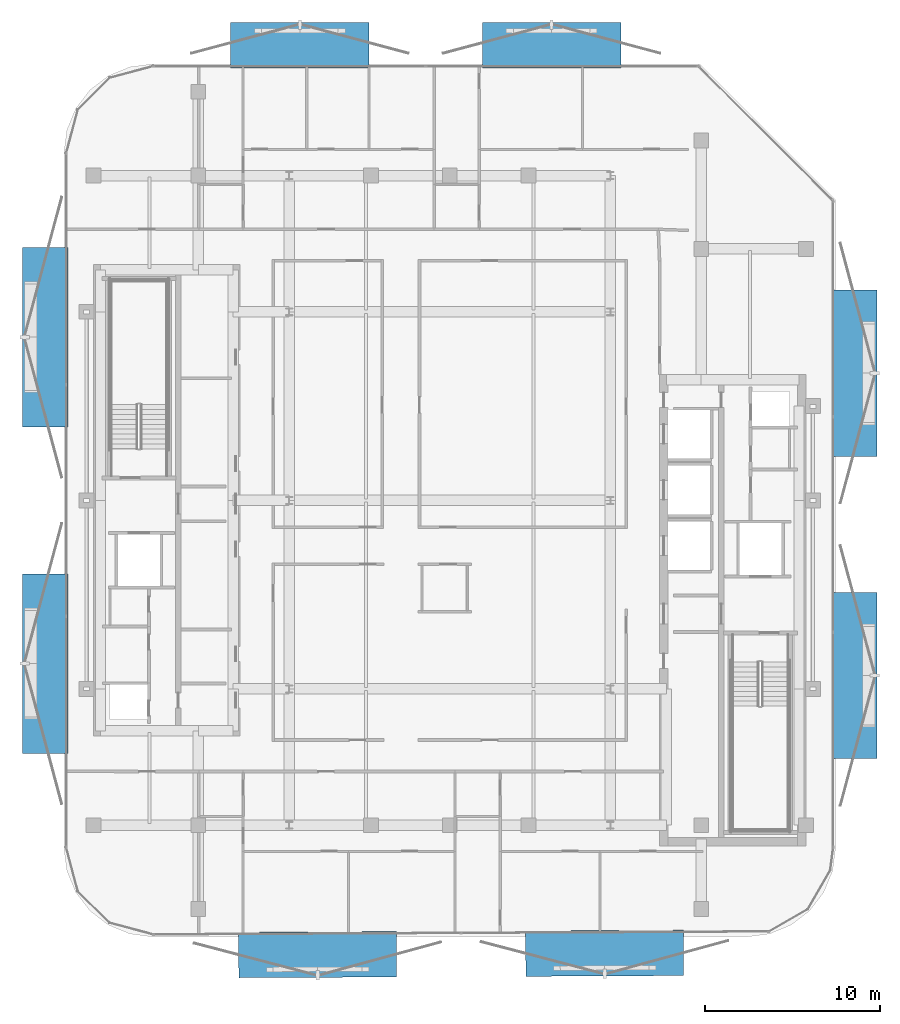
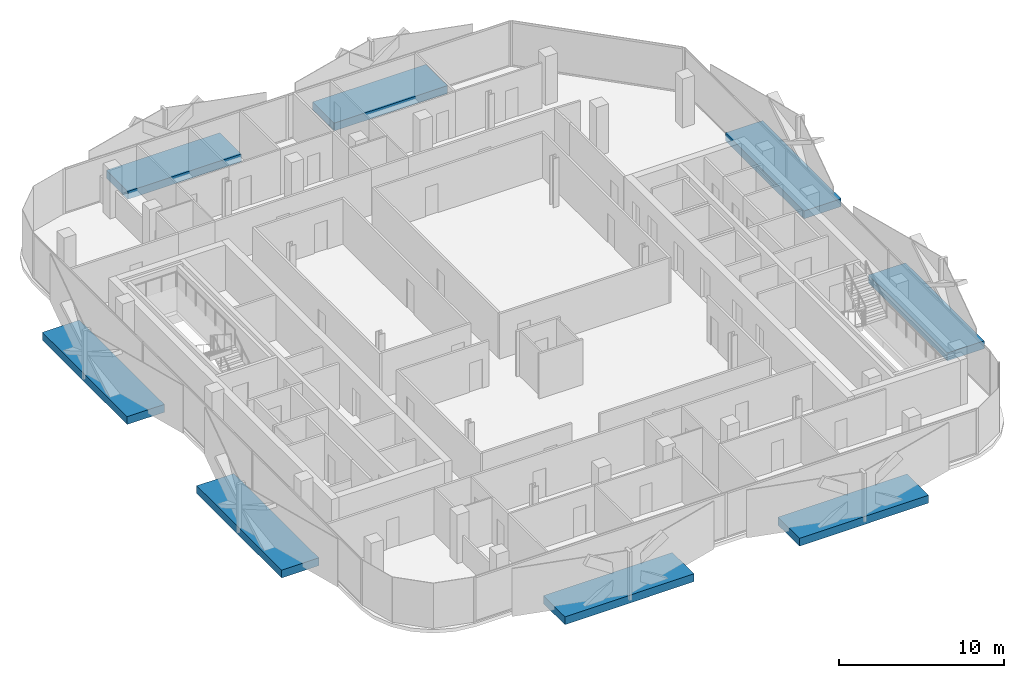
# One storey, part 7 of 16: 8 discrete accessories.
"""IFC4 building model written with IfcOpenShell, lengths in metres."""

from ifc_helpers import new_model, si_unit, direction, frame, origin, origin_2d, place, context, subcontext, project, spatial, rectangle, extrude, material, type_object, element, save


model = new_model("IFC4")

# Units and contexts
model_context = context("Model", 3, precision=1e-05, world=origin(), true_north=direction((0.0, 1.0)))
body_context = subcontext(model_context, "Body", "Model", "MODEL_VIEW")
ifc_project = project(units=[si_unit("LENGTHUNIT", "METRE"), si_unit("AREAUNIT", "SQUARE_METRE"), si_unit("VOLUMEUNIT", "CUBIC_METRE"), si_unit("PLANEANGLEUNIT", "RADIAN"), si_unit("MASSUNIT", "GRAM", prefix="KILO")], contexts=[model_context])

# Site, building, storey
site_placement = place(None, origin())
site = spatial("IfcSite", under=ifc_project, at=site_placement, CompositionType="ELEMENT")
building_placement = place(site_placement, origin())
building = spatial("IfcBuilding", under=site, at=building_placement, Name="Khairoan Windgate Tower", CompositionType="ELEMENT")
storey_placement = place(building_placement, frame((0.0, 0.0, 258.39990234375)))
storey = spatial("IfcBuildingStorey", under=building, at=storey_placement, Name="L61", CompositionType="ELEMENT", Elevation=258.39990234375)

# Discrete accessories
ifc_material = material(Name="Steel S355", Category="steel")
discrete_accessory_type = type_object("IfcDiscreteAccessoryType", Name="Solar Screen Outrigger Slab Bracket SSB-1", PredefinedType="BRACKET", material=ifc_material)
for number, where, z_axis, x_axis, name in (
    (1, (8.87060546875, -25.935302734375, -0.419921875), (0.0, 0.0, 1.0), (-0.999988059021, -0.004886902454, 0.0), "L61 Solar Screen Outrigger Bracket 417"),
    (2, (-7.56640625, -26.014404296875, -0.419921875), (0.0, 0.0, 1.0), (-0.999988059021, -0.004886902454, 0.0), "L61 Solar Screen Outrigger Bracket 418"),
):
    element("IfcDiscreteAccessory", number, at=place(storey_placement, frame(where, z_axis=z_axis, x_axis=x_axis)), inside=storey, type_object=discrete_accessory_type, Name=name, PredefinedType="BRACKET", context=body_context, shape_type="SweptSolid", body=[
        extrude(rectangle(XDim=9.041015625, YDim=2.60009765625, at=origin_2d()), origin(), (0.0, 0.0, 1.0), 0.580078125),
    ])
for number, where, z_axis, x_axis, name in (
    (3, (-23.159912109375, -9.345458984375, -0.419921875), (0.0, 0.0, 1.0), (0.0, 1.0, 0.0), "L61 Solar Screen Outrigger Bracket 419"),
    (4, (-23.159912109375, 9.345458984375, -0.419921875), (0.0, 0.0, 1.0), (0.0, 1.0, 0.0), "L61 Solar Screen Outrigger Bracket 420"),
):
    element("IfcDiscreteAccessory", number, at=place(storey_placement, frame(where, z_axis=z_axis, x_axis=x_axis)), inside=storey, type_object=discrete_accessory_type, Name=name, PredefinedType="BRACKET", context=body_context, shape_type="SweptSolid", body=[
        extrude(rectangle(XDim=10.280029296875, YDim=2.60009765625, at=origin_2d()), origin(), (0.0, 0.0, 1.0), 0.580078125),
    ])
for number, where, z_axis, x_axis, name in (
    (5, (-8.58251953125, 26.06005859375, -0.419921875), (0.0, 0.0, 1.0), (1.0, 0.0, 0.0), "L61 Solar Screen Outrigger Bracket 421"),
    (6, (5.833740234375, 26.06005859375, -0.419921875), (0.0, 0.0, 1.0), (1.0, 0.0, 0.0), "L61 Solar Screen Outrigger Bracket 422"),
):
    element("IfcDiscreteAccessory", number, at=place(storey_placement, frame(where, z_axis=z_axis, x_axis=x_axis)), inside=storey, type_object=discrete_accessory_type, Name=name, PredefinedType="BRACKET", context=body_context, shape_type="SweptSolid", body=[
        extrude(rectangle(XDim=7.928955078125, YDim=2.60009765625, at=origin_2d()), origin(), (0.0, 0.0, 1.0), 0.580078125),
    ])
for number, where, z_axis, x_axis, name in (
    (7, (23.159912109375, 7.28369140625, -0.419921875), (0.0, 0.0, 1.0), (0.0, -1.0, 0.0), "L61 Solar Screen Outrigger Bracket 423"),
    (8, (23.159912109375, -10.03271484375, -0.419921875), (0.0, 0.0, 1.0), (0.0, -1.0, 0.0), "L61 Solar Screen Outrigger Bracket 424"),
):
    element("IfcDiscreteAccessory", number, at=place(storey_placement, frame(where, z_axis=z_axis, x_axis=x_axis)), inside=storey, type_object=discrete_accessory_type, Name=name, PredefinedType="BRACKET", context=body_context, shape_type="SweptSolid", body=[
        extrude(rectangle(XDim=9.52392578125, YDim=2.60009765625, at=origin_2d()), origin(), (0.0, 0.0, 1.0), 0.580078125),
    ])

save(model, "model.ifc")
